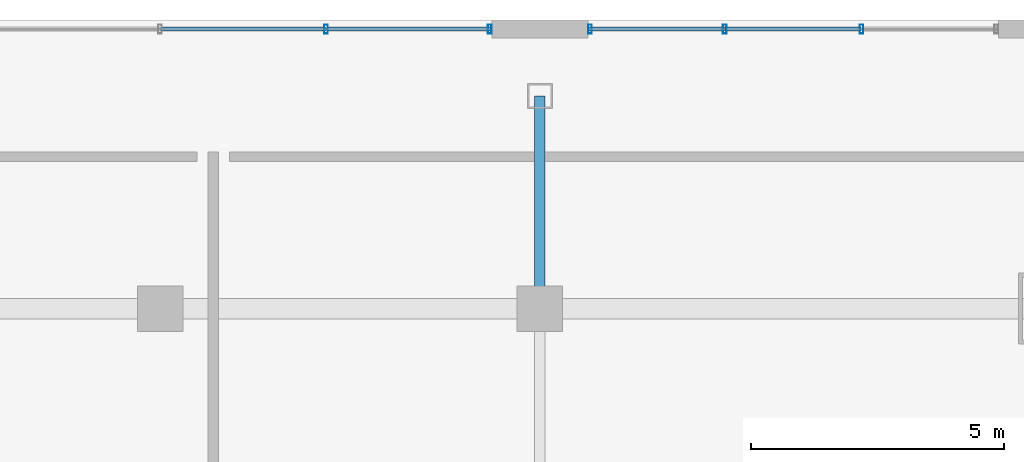
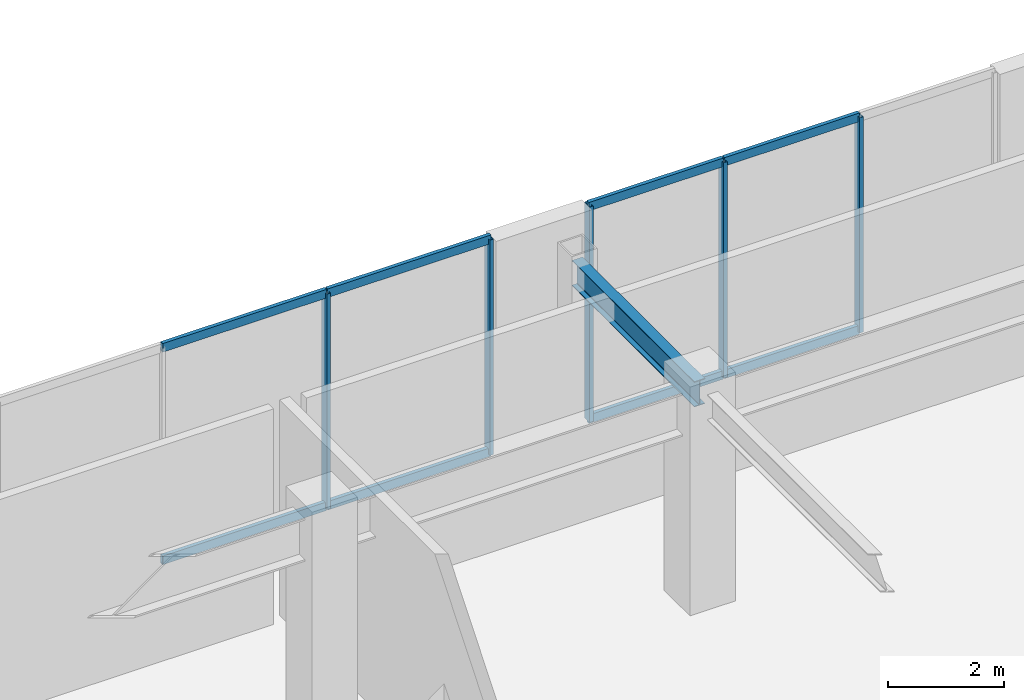
# One storey, part 8 of 16: 13 members, 1 beam, 2 elements without a shape of their own.
"""IFC4 building model written with IfcOpenShell, lengths in metres."""

from ifc_helpers import new_model, si_unit, direction, frame, origin, origin_2d, place, context, subcontext, project, spatial, hollow_rectangle, i_section, extrude, material, material_profile, profile_set, type_object, element, aggregate, save


model = new_model("IFC4")

# Units and contexts
model_context = context("Model", 3, precision=1e-05, world=origin(), true_north=direction((0.0, 1.0)))
body_context = subcontext(model_context, "Body", "Model", "MODEL_VIEW")
ifc_project = project(units=[si_unit("LENGTHUNIT", "METRE"), si_unit("AREAUNIT", "SQUARE_METRE"), si_unit("VOLUMEUNIT", "CUBIC_METRE"), si_unit("PLANEANGLEUNIT", "RADIAN"), si_unit("MASSUNIT", "GRAM", prefix="KILO")], contexts=[model_context])

# Site, building, storey
site_placement = place(None, origin())
site = spatial("IfcSite", under=ifc_project, at=site_placement, CompositionType="ELEMENT")
building_placement = place(site_placement, origin())
building = spatial("IfcBuilding", under=site, at=building_placement, Name="Ventersveld Concourse Tower", CompositionType="ELEMENT")
storey_placement = place(building_placement, frame((0.0, 0.0, 10.199951171875)))
storey = spatial("IfcBuildingStorey", under=building, at=storey_placement, Name="L02", CompositionType="ELEMENT", Elevation=10.199951171875)

# Curtain wall, members
ifc_material_1 = material(Name="Anodised aluminium EN AW-6063-T6", Category="aluminium")
curtain_wall_type = type_object("IfcCurtainWallType", Name="CW-POD-2", PredefinedType="NOTDEFINED", material=ifc_material_1)
curtain_wall_1_placement = place(storey_placement, origin())
curtain_wall_1 = element("IfcCurtainWall", 1, at=curtain_wall_1_placement, inside=storey, type_object=curtain_wall_type, Name="L02 L02 Podium Gallery Curtain Wall 3", PredefinedType="NOTDEFINED")
ifc_material_profile_1 = material_profile(ifc_material_1, hollow_rectangle(XDim=0.074951171875, YDim=0.179931640625, WallThickness=0.00390625, at=origin_2d()), Name="ALU 180x75x4")
ifc_profile_set_1 = profile_set([ifc_material_profile_1], Name="Anodised aluminium EN AW-6063-T6")
member_type_1 = type_object("IfcMemberType", Name="CWM-180x75", PredefinedType="MULLION", material=ifc_profile_set_1)
member_1_placement = place(storey_placement, frame((39.52490234375, 49.52001953125, 0.0), z_axis=(0.0, 0.0, 1.0), x_axis=(1.0, 0.0, 0.0)))
member_1 = element("IfcMember", 2, at=member_1_placement, type_object=member_type_1, Name="CW-L02-N3 Mullion 04", PredefinedType="MULLION", context=body_context, shape_type="SweptSolid", body=[
    extrude(hollow_rectangle(XDim=0.074951171875, YDim=0.179931640625, WallThickness=0.00390625, at=origin_2d()), origin(), (0.0, 0.0, 1.0), 4.52001953125),
])
member_2_placement = place(storey_placement, frame((42.760009765625, 49.52001953125, 0.0), z_axis=(0.0, 0.0, 1.0), x_axis=(1.0, 0.0, 0.0)))
member_2 = element("IfcMember", 3, at=member_2_placement, type_object=member_type_1, Name="CW-L02-N3 Mullion 05", PredefinedType="MULLION", context=body_context, shape_type="SweptSolid", body=[
    extrude(hollow_rectangle(XDim=0.074951171875, YDim=0.179931640625, WallThickness=0.00390625, at=origin_2d()), origin(), (0.0, 0.0, 1.0), 4.52001953125),
])

curtain_wall_2_placement = place(storey_placement, origin())
curtain_wall_2 = element("IfcCurtainWall", 4, at=curtain_wall_2_placement, inside=storey, type_object=curtain_wall_type, Name="L02 L02 Podium Gallery Curtain Wall 4", PredefinedType="NOTDEFINED")
member_3_placement = place(storey_placement, frame((44.739990234375, 49.52001953125, 0.0), z_axis=(0.0, 0.0, 1.0), x_axis=(1.0, 0.0, 0.0)))
member_3 = element("IfcMember", 5, at=member_3_placement, type_object=member_type_1, Name="CW-L02-N4 Mullion 01", PredefinedType="MULLION", context=body_context, shape_type="SweptSolid", body=[
    extrude(hollow_rectangle(XDim=0.074951171875, YDim=0.179931640625, WallThickness=0.00390625, at=origin_2d()), origin(), (0.0, 0.0, 1.0), 4.52001953125),
])
member_4_placement = place(storey_placement, frame((47.39990234375, 49.52001953125, 0.0), z_axis=(0.0, 0.0, 1.0), x_axis=(1.0, 0.0, 0.0)))
member_4 = element("IfcMember", 6, at=member_4_placement, type_object=member_type_1, Name="CW-L02-N4 Mullion 02", PredefinedType="MULLION", context=body_context, shape_type="SweptSolid", body=[
    extrude(hollow_rectangle(XDim=0.074951171875, YDim=0.179931640625, WallThickness=0.00390625, at=origin_2d()), origin(), (0.0, 0.0, 1.0), 4.52001953125),
])
member_5_placement = place(storey_placement, frame((50.10009765625, 49.52001953125, 0.0), z_axis=(0.0, 0.0, 1.0), x_axis=(1.0, 0.0, 0.0)))
member_5 = element("IfcMember", 7, at=member_5_placement, type_object=member_type_1, Name="CW-L02-N4 Mullion 03", PredefinedType="MULLION", context=body_context, shape_type="SweptSolid", body=[
    extrude(hollow_rectangle(XDim=0.074951171875, YDim=0.179931640625, WallThickness=0.00390625, at=origin_2d()), origin(), (0.0, 0.0, 1.0), 4.52001953125),
])

# Member
ifc_material_profile_2 = material_profile(ifc_material_1, hollow_rectangle(XDim=0.074951171875, YDim=0.179931640625, WallThickness=0.00390625, at=origin_2d()), Name="ALU 180x75x4")
ifc_profile_set_2 = profile_set([ifc_material_profile_2], Name="Anodised aluminium EN AW-6063-T6")
member_type_2 = type_object("IfcMemberType", Name="CWT-180x75", PredefinedType="USERDEFINED", material=ifc_profile_set_2)
member_6_placement = place(storey_placement, frame((36.260009765625, 49.52001953125, 0.030029296875), z_axis=(1.0, 0.0, 0.0), x_axis=(0.0, 1.0, 0.0)))
member_6 = element("IfcMember", 8, at=member_6_placement, type_object=member_type_2, Name="CW-L02-N3 Transom 1-03", ObjectType="TRANSOM", PredefinedType="USERDEFINED", context=body_context, shape_type="SweptSolid", body=[
    extrude(hollow_rectangle(XDim=0.074951171875, YDim=0.179931640625, WallThickness=0.00390625, at=origin_2d()), origin(), (0.0, 0.0, 1.0), 3.2548828125),
])

member_7_placement = place(storey_placement, frame((39.534912109375, 49.52001953125, 0.030029296875), z_axis=(1.0, 0.0, 0.0), x_axis=(0.0, 1.0, 0.0)))
member_7 = element("IfcMember", 9, at=member_7_placement, type_object=member_type_2, Name="CW-L02-N3 Transom 1-04", ObjectType="TRANSOM", PredefinedType="USERDEFINED", context=body_context, shape_type="SweptSolid", body=[
    extrude(hollow_rectangle(XDim=0.074951171875, YDim=0.179931640625, WallThickness=0.00390625, at=origin_2d()), origin(), (0.0, 0.0, 1.0), 3.2451171875),
])

member_8_placement = place(storey_placement, frame((36.260009765625, 49.52001953125, 4.489990234375), z_axis=(1.0, 0.0, 0.0), x_axis=(0.0, 1.0, 0.0)))
member_8 = element("IfcMember", 10, at=member_8_placement, type_object=member_type_2, Name="CW-L02-N3 Transom 2-03", ObjectType="TRANSOM", PredefinedType="USERDEFINED", context=body_context, shape_type="SweptSolid", body=[
    extrude(hollow_rectangle(XDim=0.074951171875, YDim=0.179931640625, WallThickness=0.00390625, at=origin_2d()), origin(), (0.0, 0.0, 1.0), 3.2548828125),
])

member_9_placement = place(storey_placement, frame((39.534912109375, 49.52001953125, 4.489990234375), z_axis=(1.0, 0.0, 0.0), x_axis=(0.0, 1.0, 0.0)))
member_9 = element("IfcMember", 11, at=member_9_placement, type_object=member_type_2, Name="CW-L02-N3 Transom 2-04", ObjectType="TRANSOM", PredefinedType="USERDEFINED", context=body_context, shape_type="SweptSolid", body=[
    extrude(hollow_rectangle(XDim=0.074951171875, YDim=0.179931640625, WallThickness=0.00390625, at=origin_2d()), origin(), (0.0, 0.0, 1.0), 3.2451171875),
])

aggregate(curtain_wall_1, [member_1, member_2, member_6, member_7, member_8, member_9])

member_10_placement = place(storey_placement, frame((44.719970703125, 49.52001953125, 0.030029296875), z_axis=(1.0, 0.0, 0.0), x_axis=(0.0, 1.0, 0.0)))
member_10 = element("IfcMember", 12, at=member_10_placement, type_object=member_type_2, Name="CW-L02-N4 Transom 1-01", ObjectType="TRANSOM", PredefinedType="USERDEFINED", context=body_context, shape_type="SweptSolid", body=[
    extrude(hollow_rectangle(XDim=0.074951171875, YDim=0.179931640625, WallThickness=0.00390625, at=origin_2d()), origin(), (0.0, 0.0, 1.0), 2.669921875),
])

member_11_placement = place(storey_placement, frame((47.409912109375, 49.52001953125, 0.030029296875), z_axis=(1.0, 0.0, 0.0), x_axis=(0.0, 1.0, 0.0)))
member_11 = element("IfcMember", 13, at=member_11_placement, type_object=member_type_2, Name="CW-L02-N4 Transom 1-02", ObjectType="TRANSOM", PredefinedType="USERDEFINED", context=body_context, shape_type="SweptSolid", body=[
    extrude(hollow_rectangle(XDim=0.074951171875, YDim=0.179931640625, WallThickness=0.00390625, at=origin_2d()), origin(), (0.0, 0.0, 1.0), 2.68017578125),
])

member_12_placement = place(storey_placement, frame((44.719970703125, 49.52001953125, 4.489990234375), z_axis=(1.0, 0.0, 0.0), x_axis=(0.0, 1.0, 0.0)))
member_12 = element("IfcMember", 14, at=member_12_placement, type_object=member_type_2, Name="CW-L02-N4 Transom 2-01", ObjectType="TRANSOM", PredefinedType="USERDEFINED", context=body_context, shape_type="SweptSolid", body=[
    extrude(hollow_rectangle(XDim=0.074951171875, YDim=0.179931640625, WallThickness=0.00390625, at=origin_2d()), origin(), (0.0, 0.0, 1.0), 2.669921875),
])

member_13_placement = place(storey_placement, frame((47.409912109375, 49.52001953125, 4.489990234375), z_axis=(1.0, 0.0, 0.0), x_axis=(0.0, 1.0, 0.0)))
member_13 = element("IfcMember", 15, at=member_13_placement, type_object=member_type_2, Name="CW-L02-N4 Transom 2-02", ObjectType="TRANSOM", PredefinedType="USERDEFINED", context=body_context, shape_type="SweptSolid", body=[
    extrude(hollow_rectangle(XDim=0.074951171875, YDim=0.179931640625, WallThickness=0.00390625, at=origin_2d()), origin(), (0.0, 0.0, 1.0), 2.68017578125),
])

aggregate(curtain_wall_2, [member_3, member_4, member_5, member_10, member_11, member_12, member_13])

# Beam
ifc_material_2 = material(Name="Structural steel S355J2", Category="steel")
ifc_material_profile_3 = material_profile(ifc_material_2, i_section(OverallWidth=0.209228515625, OverallDepth=0.533203125, WebThickness=0.010009765625, FlangeThickness=0.015625, FilletRadius=0.0126953125, at=origin_2d()), Name="UB 533x210x92")
ifc_profile_set_3 = profile_set([ifc_material_profile_3], Name="Structural steel S355J2")
beam_type = type_object("IfcBeamType", Name="GRD-UB533", PredefinedType="T_BEAM", material=ifc_profile_set_3)
beam_placement = place(storey_placement, frame((43.75, 44.0, 4.253662109375), z_axis=(0.0, 1.0, 0.0), x_axis=(-1.0, 0.0, 0.0)))
element("IfcBeam", 16, at=beam_placement, inside=storey, type_object=beam_type, Name="L02 Podium N-S Girder X=43.75m", PredefinedType="T_BEAM", context=body_context, shape_type="SweptSolid", body=[
    extrude(i_section(OverallWidth=0.209228515625, OverallDepth=0.533203125, WebThickness=0.010009765625, FlangeThickness=0.015625, FilletRadius=0.0126953125, at=origin_2d()), origin(), (0.0, 0.0, 1.0), 4.199951171875),
])

save(model, "model.ifc")
